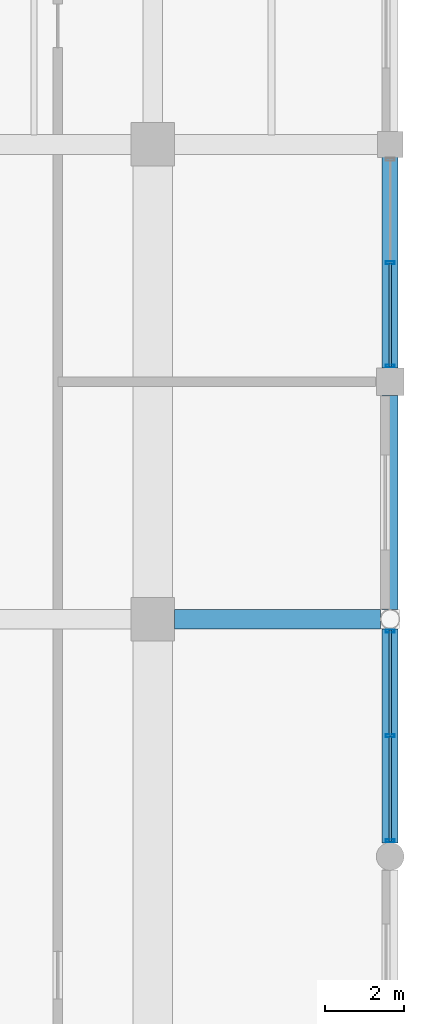
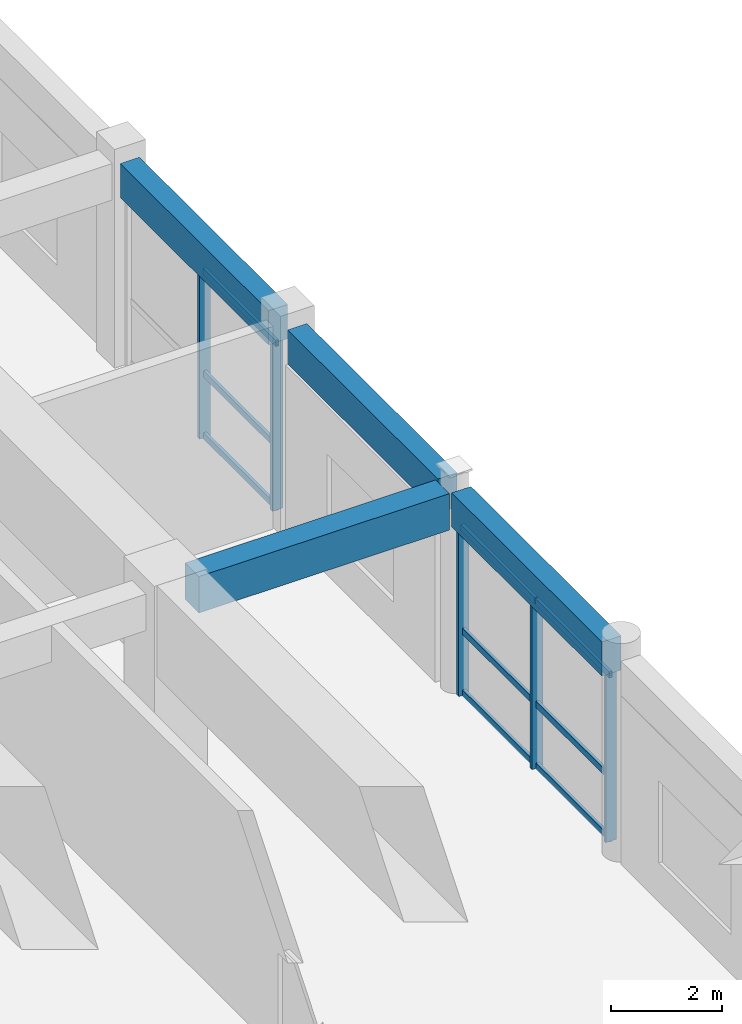
# One storey, part 72 of 123: 14 members, 4 beams, 2 elements without a shape of their own.
"""IFC4 building model written with IfcOpenShell, lengths in metres."""

import ifcopenshell
import ifcopenshell.guid

model = None  # the IFC model being written
_history = None  # IfcOwnerHistory: only IFC2X3 demands one
_inside = {}  # id of a spatial element -> (the spatial element, [elements in it])
_under = {}  # id of a project, library or spatial element -> (it, [spatial elements below it])
_declared = {}  # id of a project -> (the project, [libraries it declares])
_typed = {}  # id of a type object -> (the type object, [elements of that type])
_made_of = {}  # id of a material, layer set ... -> (it, [elements and type objects made of it])


def new_model(schema):
    """Start an empty IFC model of exactly this schema.

    Asked for "IFC4X3", IfcOpenShell would pick the latest addendum, in which some entities
    have other attributes; the version numbers below select the first issue.
    IFC2X3 requires an IfcOwnerHistory on every rooted entity: one is made here for all.
    """
    global model, _history
    if schema == "IFC4X3":
        model = ifcopenshell.file(schema_version=(4, 3, 0, 0))
    else:
        model = ifcopenshell.file(schema=schema)
    _inside.clear()
    _under.clear()
    _declared.clear()
    _typed.clear()
    _made_of.clear()
    _history = None
    if model.schema == "IFC2X3":
        org = make("IfcOrganization", Name="unknown")
        user = make(
            "IfcPersonAndOrganization",
            ThePerson=make("IfcPerson", FamilyName="unknown"),
            TheOrganization=org,
        )
        app = make(
            "IfcApplication",
            ApplicationDeveloper=org,
            Version="unknown",
            ApplicationFullName="unknown",
            ApplicationIdentifier="unknown",
        )
        _history = make(
            "IfcOwnerHistory",
            OwningUser=user,
            OwningApplication=app,
            ChangeAction="ADDED",
            CreationDate=0,
        )
    return model


def make(cls, **values):
    """One entity of the class cls with the attributes given. An attribute that is None is left unset."""
    return model.create_entity(
        cls, **{name: value for name, value in values.items() if value is not None}
    )


def rooted(cls, **values):
    """An entity with a GlobalId (a new one), such as an element, a storey or a relation."""
    return make(cls, GlobalId=ifcopenshell.guid.new(), OwnerHistory=_history, **values)


def si_unit(unit_type, name, prefix=None):
    """IfcSIUnit, for example si_unit("LENGTHUNIT", "METRE", prefix="MILLI")."""
    return make("IfcSIUnit", UnitType=unit_type, Prefix=prefix, Name=name)


def assignment(units):
    """IfcUnitAssignment: the units of a project."""
    return None if units is None else make("IfcUnitAssignment", Units=units)


def point(xyz):
    """IfcCartesianPoint."""
    return None if xyz is None else make("IfcCartesianPoint", Coordinates=xyz)


def direction(xyz):
    """IfcDirection."""
    return None if xyz is None else make("IfcDirection", DirectionRatios=xyz)


def frame(location, z_axis=None, x_axis=None):
    """IfcAxis2Placement3D, a coordinate frame: its origin and axes. An axis left out is left unset."""
    return make(
        "IfcAxis2Placement3D",
        Location=point(location),
        Axis=direction(z_axis),
        RefDirection=direction(x_axis),
    )


def frame_2d(location, x_axis=None):
    """IfcAxis2Placement2D, a coordinate frame in the plane: its origin and x axis."""
    return make(
        "IfcAxis2Placement2D", Location=point(location), RefDirection=direction(x_axis)
    )


def origin():
    """The frame at (0, 0, 0) with its axes left unset."""
    return frame((0.0, 0.0, 0.0))


def origin_2d():
    """The frame at (0, 0) in the plane with its x axis left unset."""
    return frame_2d((0.0, 0.0))


def place(relative_to, where):
    """IfcLocalPlacement: puts the frame where relative to a parent placement (None: the world)."""
    return make(
        "IfcLocalPlacement", PlacementRelTo=relative_to, RelativePlacement=where
    )


def context(
    kind, dimensions, precision=None, world=None, true_north=None, identifier=None
):
    """IfcGeometricRepresentationContext, for example the 3D "Model" context."""
    return make(
        "IfcGeometricRepresentationContext",
        ContextIdentifier=identifier,
        ContextType=kind,
        CoordinateSpaceDimension=dimensions,
        Precision=precision,
        WorldCoordinateSystem=world,
        TrueNorth=true_north,
    )


def subcontext(parent, identifier, kind, view, scale=None):
    """IfcGeometricRepresentationSubContext, for example "Body" below "Model"."""
    return make(
        "IfcGeometricRepresentationSubContext",
        ContextIdentifier=identifier,
        ContextType=kind,
        ParentContext=parent,
        TargetScale=scale,
        TargetView=view,
    )


def project(units=None, contexts=None):
    """IfcProject with its units and contexts."""
    return rooted(
        "IfcProject",
        Name="project",
        RepresentationContexts=contexts,
        UnitsInContext=assignment(units),
    )


def spatial(cls, under=None, at=None, **own):
    """A site, building, storey or space (cls), placed at a placement, below another one or the project."""
    s = rooted(cls, ObjectPlacement=at, **own)
    if under is not None:
        _under.setdefault(under.id(), (under, []))[1].append(s)
    return s


def profile(cls, at=None, kind="AREA", **sizes):
    """A parametric profile (cls). Its sizes go by their IFC names, for example OverallWidth=200.0."""
    return make(cls, ProfileType=kind, Position=at, **sizes)


def rectangle(**sizes):
    """IfcRectangleProfileDef."""
    return profile("IfcRectangleProfileDef", **sizes)


def hollow_rectangle(**sizes):
    """IfcRectangleHollowProfileDef."""
    return profile("IfcRectangleHollowProfileDef", **sizes)


def extrude(swept, where, along, depth):
    """IfcExtrudedAreaSolid: the profile swept, set in the frame where, extruded along a direction by depth."""
    return make(
        "IfcExtrudedAreaSolid",
        SweptArea=swept,
        Position=where,
        ExtrudedDirection=direction(along),
        Depth=depth,
    )


def shape(context_of_items, identifier, shape_type, items):
    """IfcShapeRepresentation: the items that make up one representation, for example the "Body"."""
    return make(
        "IfcShapeRepresentation",
        ContextOfItems=context_of_items,
        RepresentationIdentifier=identifier,
        RepresentationType=shape_type,
        Items=items,
    )


def material(Name=None, Category=None):
    """IfcMaterial."""
    return make("IfcMaterial", Name=Name, Category=Category)


def material_profile(
    of_material, cross_section, Name=None, Category=None, Priority=None
):
    """IfcMaterialProfile: a cross section and its material."""
    return make(
        "IfcMaterialProfile",
        Name=Name,
        Material=of_material,
        Profile=cross_section,
        Priority=Priority,
        Category=Category,
    )


def profile_set(profiles, Name=None, composite=None):
    """IfcMaterialProfileSet."""
    return make(
        "IfcMaterialProfileSet",
        Name=Name,
        MaterialProfiles=profiles,
        CompositeProfile=composite,
    )


def made_of(thing, what):
    """Note that an element or type object is made of a material, layer set ...; save() writes the relation."""
    if what is not None:
        _made_of.setdefault(what.id(), (what, []))[1].append(thing)
    return thing


def type_object(cls, material=None, **own):
    """A type object (cls), such as IfcWallType, which elements share."""
    return made_of(rooted(cls, **own), material)


def element(
    cls,
    number,
    at=None,
    inside=None,
    cuts=None,
    type_object=None,
    material=None,
    context=None,
    identifier="Body",
    shape_type=None,
    held_by="IfcProductDefinitionShape",
    body=None,
    shapes=None,
    **own,
):
    """One element of the class cls, such as IfcWall. Its Tag is "e" and its number.

    at: its placement. inside: the storey or other place that contains it. cuts: it is an
    opening in that element (IfcRelVoidsElement). A single representation is given by context,
    identifier, shape_type and body (its items); several are given by shapes. held_by: the class
    of the entity that holds the representations. save() writes the other relations.
    """
    e = rooted(cls, Tag="e%d" % number, ObjectPlacement=at, **own)
    if body is not None:
        shapes = [shape(context, identifier, shape_type, body)]
    if shapes is not None:
        e.Representation = make(held_by, Representations=shapes)
    if inside is not None:
        _inside.setdefault(inside.id(), (inside, []))[1].append(e)
    if cuts is not None:
        rooted(
            "IfcRelVoidsElement", RelatingBuildingElement=cuts, RelatedOpeningElement=e
        )
    if type_object is not None:
        _typed.setdefault(type_object.id(), (type_object, []))[1].append(e)
    return made_of(e, material)


def aggregate(whole, parts):
    """IfcRelAggregates: a whole, such as a stair, and the parts it consists of."""
    return rooted("IfcRelAggregates", RelatingObject=whole, RelatedObjects=parts)


def save(model, path):
    """Write the relations noted so far, then the file.

    IfcRelAggregates (storeys below a building ...), IfcRelContainedInSpatialStructure (elements
    in a storey), IfcRelDefinesByType, IfcRelAssociatesMaterial and IfcRelDeclares: one each for
    every whole, place, type object, material and project.
    """
    for whole, parts in _under.values():
        aggregate(whole, parts)
    for where, things in _inside.values():
        rooted(
            "IfcRelContainedInSpatialStructure",
            RelatedElements=things,
            RelatingStructure=where,
        )
    for kind, things in _typed.values():
        rooted("IfcRelDefinesByType", RelatedObjects=things, RelatingType=kind)
    for what, things in _made_of.values():
        rooted("IfcRelAssociatesMaterial", RelatedObjects=things, RelatingMaterial=what)
    for by, libraries in _declared.values():
        rooted("IfcRelDeclares", RelatingContext=by, RelatedDefinitions=libraries)
    model.write(path)


model = new_model("IFC4")

# Units and contexts
model_context = context("Model", 3, precision=1e-05, world=origin(), true_north=direction((0.0, 1.0)))
body_context = subcontext(model_context, "Body", "Model", "MODEL_VIEW")
ifc_project = project(units=[si_unit("LENGTHUNIT", "METRE"), si_unit("AREAUNIT", "SQUARE_METRE"), si_unit("VOLUMEUNIT", "CUBIC_METRE"), si_unit("PLANEANGLEUNIT", "RADIAN"), si_unit("MASSUNIT", "GRAM", prefix="KILO"), si_unit("THERMODYNAMICTEMPERATUREUNIT", "KELVIN"), si_unit("POWERUNIT", "WATT")], contexts=[model_context])

# Site, building, storey
site_placement = place(None, origin())
site = spatial("IfcSite", under=ifc_project, at=site_placement, CompositionType="ELEMENT")
building_placement = place(site_placement, origin())
building = spatial("IfcBuilding", under=site, at=building_placement, Name="Phaisarnlok Congress Hotel", CompositionType="ELEMENT")
storey_placement = place(building_placement, frame((0.0, 0.0, 15.0)))
storey = spatial("IfcBuildingStorey", under=building, at=storey_placement, Name="L03", CompositionType="ELEMENT", Elevation=15.0)

# Beam
ifc_material_1 = material(Name="Concrete C40/50", Category="concrete")
ifc_material_profile_1 = material_profile(ifc_material_1, rectangle(XDim=0.5, YDim=0.800048828125, at=origin_2d()), Name="RC 500x800")
ifc_profile_set_1 = profile_set([ifc_material_profile_1], Name="Concrete C40/50")
beam_type_1 = type_object("IfcBeamType", Name="BM-RC-500x800", PredefinedType="BEAM", material=ifc_profile_set_1)
beam_1_placement = place(storey_placement, frame((174.544921875, 54.0, 4.050048828125), z_axis=(1.0, 0.0, 0.0), x_axis=(0.0, 1.0, 0.0)))
element("IfcBeam", 1, at=beam_1_placement, inside=storey, type_object=beam_type_1, Name="Beam B-04", PredefinedType="BEAM", context=body_context, shape_type="SweptSolid", body=[
    extrude(rectangle(XDim=0.5, YDim=0.800048828125, at=origin_2d()), origin(), (0.0, 0.0, 1.0), 5.2060546875),
])

# Curtain wall, members
ifc_material_2 = material(Name="Thermally Broken Unitised Aluminium & Low-E Glazing", Category="aluminium")
curtain_wall_type_1 = type_object("IfcCurtainWallType", Name="CW-UNIT-31", PredefinedType="NOTDEFINED", material=ifc_material_2)
curtain_wall_1_placement = place(storey_placement, origin())
curtain_wall_1 = element("IfcCurtainWall", 2, at=curtain_wall_1_placement, inside=storey, type_object=curtain_wall_type_1, Name="Unitised curtain wall CW-31 (L03)", PredefinedType="NOTDEFINED")
ifc_material_3 = material(Name="Anodised Aluminium Alloy 6063-T6", Category="aluminium")
ifc_material_profile_2 = material_profile(ifc_material_3, hollow_rectangle(XDim=0.074951171875, YDim=0.219970703125, WallThickness=0.0048828125, at=origin_2d()), Name="ALU-M 75x220x5")
ifc_profile_set_2 = profile_set([ifc_material_profile_2], Name="Anodised Aluminium Alloy 6063-T6")
member_type_1 = type_object("IfcMemberType", Name="CWM-220", PredefinedType="MULLION", material=ifc_profile_set_2)
member_1_placement = place(storey_placement, frame((180.0, 48.39990234375, 0.0), z_axis=(0.0, 0.0, 1.0), x_axis=(0.0, 1.0, 0.0)))
member_1 = element("IfcMember", 3, at=member_1_placement, type_object=member_type_1, Name="Curtain wall mullion CWM-02", PredefinedType="MULLION", context=body_context, shape_type="SweptSolid", body=[
    extrude(hollow_rectangle(XDim=0.074951171875, YDim=0.219970703125, WallThickness=0.0048828125, at=origin_2d()), origin(), (0.0, 0.0, 1.0), 3.699951171875),
])
member_2_placement = place(storey_placement, frame((180.0, 51.048095703125, 0.0), z_axis=(0.0, 0.0, 1.0), x_axis=(0.0, 1.0, 0.0)))
member_2 = element("IfcMember", 4, at=member_2_placement, type_object=member_type_1, Name="Curtain wall mullion CWM-02", PredefinedType="MULLION", context=body_context, shape_type="SweptSolid", body=[
    extrude(hollow_rectangle(XDim=0.074951171875, YDim=0.219970703125, WallThickness=0.0048828125, at=origin_2d()), origin(), (0.0, 0.0, 1.0), 3.699951171875),
])
member_3_placement = place(storey_placement, frame((180.0, 53.696044921875, 0.0), z_axis=(0.0, 0.0, 1.0), x_axis=(0.0, 1.0, 0.0)))
member_3 = element("IfcMember", 5, at=member_3_placement, type_object=member_type_1, Name="Curtain wall mullion CWM-02", PredefinedType="MULLION", context=body_context, shape_type="SweptSolid", body=[
    extrude(hollow_rectangle(XDim=0.074951171875, YDim=0.219970703125, WallThickness=0.0048828125, at=origin_2d()), origin(), (0.0, 0.0, 1.0), 3.699951171875),
])

curtain_wall_type_2 = type_object("IfcCurtainWallType", Name="CW-UNIT-30", PredefinedType="NOTDEFINED", material=ifc_material_2)
curtain_wall_2_placement = place(storey_placement, origin())
curtain_wall_2 = element("IfcCurtainWall", 6, at=curtain_wall_2_placement, inside=storey, type_object=curtain_wall_type_2, Name="Unitised curtain wall CW-30 (L03)", PredefinedType="NOTDEFINED")
member_4_placement = place(storey_placement, frame((180.0, 60.39990234375, 0.0), z_axis=(0.0, 0.0, 1.0), x_axis=(0.0, 1.0, 0.0)))
member_4 = element("IfcMember", 7, at=member_4_placement, type_object=member_type_1, Name="Curtain wall mullion CWM-02", PredefinedType="MULLION", context=body_context, shape_type="SweptSolid", body=[
    extrude(hollow_rectangle(XDim=0.074951171875, YDim=0.219970703125, WallThickness=0.0048828125, at=origin_2d()), origin(), (0.0, 0.0, 1.0), 3.699951171875),
])
member_5_placement = place(storey_placement, frame((180.0, 63.012451171875, 0.0), z_axis=(0.0, 0.0, 1.0), x_axis=(0.0, 1.0, 0.0)))
member_5 = element("IfcMember", 8, at=member_5_placement, type_object=member_type_1, Name="Curtain wall mullion CWM-02", PredefinedType="MULLION", context=body_context, shape_type="SweptSolid", body=[
    extrude(hollow_rectangle(XDim=0.074951171875, YDim=0.219970703125, WallThickness=0.0048828125, at=origin_2d()), origin(), (0.0, 0.0, 1.0), 3.699951171875),
])

# Member
ifc_material_profile_3 = material_profile(ifc_material_3, hollow_rectangle(XDim=0.06494140625, YDim=0.139892578125, WallThickness=0.00390625, at=origin_2d()), Name="ALU-T 65x140x4")
ifc_profile_set_3 = profile_set([ifc_material_profile_3], Name="Anodised Aluminium Alloy 6063-T6")
member_type_2 = type_object("IfcMemberType", Name="CWT-150", PredefinedType="USERDEFINED", material=ifc_profile_set_3)
member_6_placement = place(storey_placement, frame((180.0, 48.375, 0.050048828125), z_axis=(0.0, 1.0, 0.0), x_axis=(-1.0, 0.0, 0.0)))
member_6 = element("IfcMember", 9, at=member_6_placement, type_object=member_type_2, Name="Curtain wall transom CWT-01", ObjectType="TRANSOM", PredefinedType="USERDEFINED", context=body_context, shape_type="SweptSolid", body=[
    extrude(hollow_rectangle(XDim=0.06494140625, YDim=0.139892578125, WallThickness=0.00390625, at=origin_2d()), origin(), (0.0, 0.0, 1.0), 2.657958984375),
])

member_7_placement = place(storey_placement, frame((180.0, 48.375, 1.406005859375), z_axis=(0.0, 1.0, 0.0), x_axis=(-1.0, 0.0, 0.0)))
member_7 = element("IfcMember", 10, at=member_7_placement, type_object=member_type_2, Name="Curtain wall transom CWT-01", ObjectType="TRANSOM", PredefinedType="USERDEFINED", context=body_context, shape_type="SweptSolid", body=[
    extrude(hollow_rectangle(XDim=0.06494140625, YDim=0.139892578125, WallThickness=0.00390625, at=origin_2d()), origin(), (0.0, 0.0, 1.0), 2.657958984375),
])

member_8_placement = place(storey_placement, frame((180.0, 48.375, 3.64990234375), z_axis=(0.0, 1.0, 0.0), x_axis=(-1.0, 0.0, 0.0)))
member_8 = element("IfcMember", 11, at=member_8_placement, type_object=member_type_2, Name="Curtain wall transom CWT-01", ObjectType="TRANSOM", PredefinedType="USERDEFINED", context=body_context, shape_type="SweptSolid", body=[
    extrude(hollow_rectangle(XDim=0.06494140625, YDim=0.139892578125, WallThickness=0.00390625, at=origin_2d()), origin(), (0.0, 0.0, 1.0), 2.657958984375),
])

member_9_placement = place(storey_placement, frame((180.0, 51.06298828125, 0.050048828125), z_axis=(0.0, 1.0, 0.0), x_axis=(-1.0, 0.0, 0.0)))
member_9 = element("IfcMember", 12, at=member_9_placement, type_object=member_type_2, Name="Curtain wall transom CWT-01", ObjectType="TRANSOM", PredefinedType="USERDEFINED", context=body_context, shape_type="SweptSolid", body=[
    extrude(hollow_rectangle(XDim=0.06494140625, YDim=0.139892578125, WallThickness=0.00390625, at=origin_2d()), origin(), (0.0, 0.0, 1.0), 2.657958984375),
])

member_10_placement = place(storey_placement, frame((180.0, 51.06298828125, 1.406005859375), z_axis=(0.0, 1.0, 0.0), x_axis=(-1.0, 0.0, 0.0)))
member_10 = element("IfcMember", 13, at=member_10_placement, type_object=member_type_2, Name="Curtain wall transom CWT-01", ObjectType="TRANSOM", PredefinedType="USERDEFINED", context=body_context, shape_type="SweptSolid", body=[
    extrude(hollow_rectangle(XDim=0.06494140625, YDim=0.139892578125, WallThickness=0.00390625, at=origin_2d()), origin(), (0.0, 0.0, 1.0), 2.657958984375),
])

member_11_placement = place(storey_placement, frame((180.0, 51.06298828125, 3.64990234375), z_axis=(0.0, 1.0, 0.0), x_axis=(-1.0, 0.0, 0.0)))
member_11 = element("IfcMember", 14, at=member_11_placement, type_object=member_type_2, Name="Curtain wall transom CWT-01", ObjectType="TRANSOM", PredefinedType="USERDEFINED", context=body_context, shape_type="SweptSolid", body=[
    extrude(hollow_rectangle(XDim=0.06494140625, YDim=0.139892578125, WallThickness=0.00390625, at=origin_2d()), origin(), (0.0, 0.0, 1.0), 2.657958984375),
])

aggregate(curtain_wall_1, [member_1, member_2, member_3, member_6, member_7, member_8, member_9, member_10, member_11])

member_12_placement = place(storey_placement, frame((180.0, 60.375, 0.050048828125), z_axis=(0.0, 1.0, 0.0), x_axis=(-1.0, 0.0, 0.0)))
member_12 = element("IfcMember", 15, at=member_12_placement, type_object=member_type_2, Name="Curtain wall transom CWT-01", ObjectType="TRANSOM", PredefinedType="USERDEFINED", context=body_context, shape_type="SweptSolid", body=[
    extrude(hollow_rectangle(XDim=0.06494140625, YDim=0.139892578125, WallThickness=0.00390625, at=origin_2d()), origin(), (0.0, 0.0, 1.0), 2.62255859375),
])

member_13_placement = place(storey_placement, frame((180.0, 60.375, 1.406005859375), z_axis=(0.0, 1.0, 0.0), x_axis=(-1.0, 0.0, 0.0)))
member_13 = element("IfcMember", 16, at=member_13_placement, type_object=member_type_2, Name="Curtain wall transom CWT-01", ObjectType="TRANSOM", PredefinedType="USERDEFINED", context=body_context, shape_type="SweptSolid", body=[
    extrude(hollow_rectangle(XDim=0.06494140625, YDim=0.139892578125, WallThickness=0.00390625, at=origin_2d()), origin(), (0.0, 0.0, 1.0), 2.62255859375),
])

member_14_placement = place(storey_placement, frame((180.0, 60.375, 3.64990234375), z_axis=(0.0, 1.0, 0.0), x_axis=(-1.0, 0.0, 0.0)))
member_14 = element("IfcMember", 17, at=member_14_placement, type_object=member_type_2, Name="Curtain wall transom CWT-01", ObjectType="TRANSOM", PredefinedType="USERDEFINED", context=body_context, shape_type="SweptSolid", body=[
    extrude(hollow_rectangle(XDim=0.06494140625, YDim=0.139892578125, WallThickness=0.00390625, at=origin_2d()), origin(), (0.0, 0.0, 1.0), 2.62255859375),
])

aggregate(curtain_wall_2, [member_4, member_5, member_12, member_13, member_14])

# Beams
ifc_material_profile_4 = material_profile(ifc_material_1, rectangle(XDim=0.39990234375, YDim=0.75, at=origin_2d()), Name="RC 400x750")
ifc_profile_set_4 = profile_set([ifc_material_profile_4], Name="Concrete C40/50")
beam_type_2 = type_object("IfcBeamType", Name="SP-RC-400x750", PredefinedType="SPANDREL", material=ifc_profile_set_4)
for number, where, z_axis, x_axis, name in (
    (18, (180.0, 48.344970703125, 4.074951171875), (0.0, 1.0, 0.0), (-1.0, 0.0, 0.0), "Beam SP-02"),
    (19, (180.0, 54.2490234375, 4.074951171875), (0.0, 1.0, 0.0), (-1.0, 0.0, 0.0), "Beam SP-02"),
):
    element("IfcBeam", number, at=place(storey_placement, frame(where, z_axis=z_axis, x_axis=x_axis)), inside=storey, type_object=beam_type_2, Name=name, PredefinedType="SPANDREL", context=body_context, shape_type="SweptSolid", body=[
        extrude(rectangle(XDim=0.39990234375, YDim=0.75, at=origin_2d()), origin(), (0.0, 0.0, 1.0), 5.406005859375),
    ])
beam_2_placement = place(storey_placement, frame((180.0, 60.344970703125, 4.074951171875), z_axis=(0.0, 1.0, 0.0), x_axis=(-1.0, 0.0, 0.0)))
element("IfcBeam", 20, at=beam_2_placement, inside=storey, type_object=beam_type_2, Name="Beam SP-02", PredefinedType="SPANDREL", context=body_context, shape_type="SweptSolid", body=[
    extrude(rectangle(XDim=0.39990234375, YDim=0.75, at=origin_2d()), origin(), (0.0, 0.0, 1.0), 5.3349609375),
])

save(model, "model.ifc")
